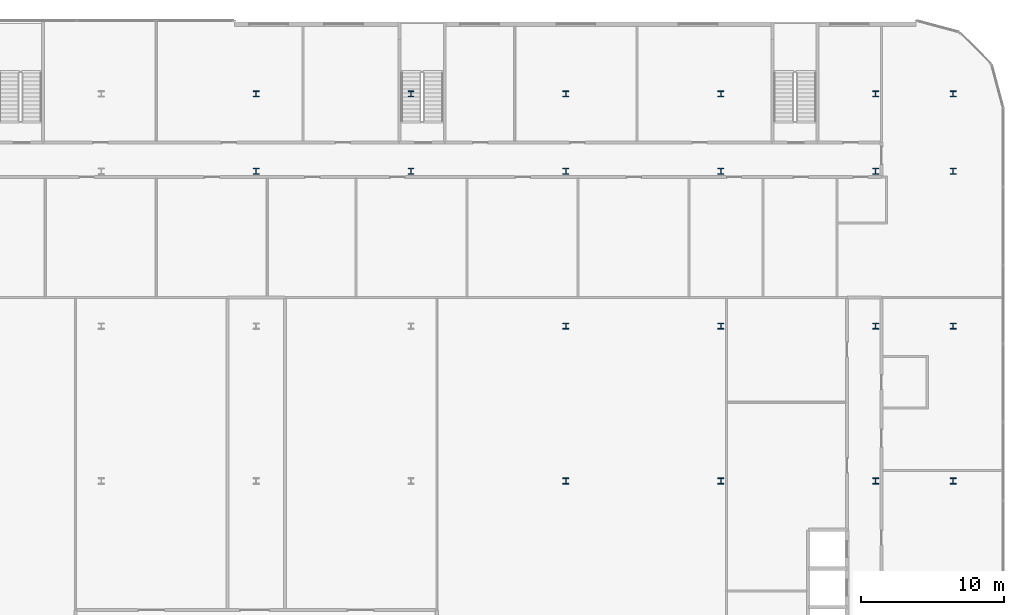
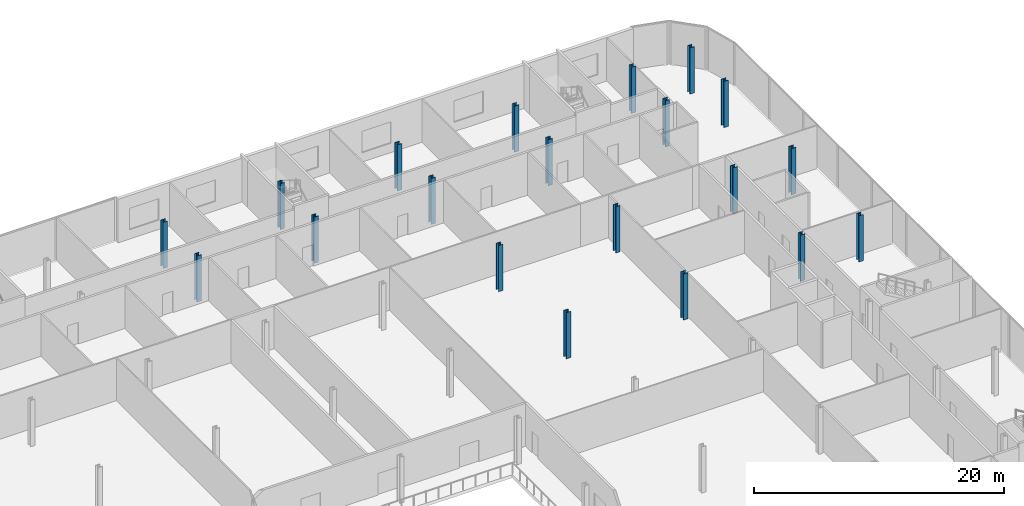
# One storey, part 5 of 47: 20 columns.
"""IFC4 building model written with IfcOpenShell, lengths in metres."""

from ifc_helpers import new_model, si_unit, direction, frame, origin, origin_2d, place, context, subcontext, project, spatial, i_section, extrude, material, material_profile, profile_set, type_object, element, save


model = new_model("IFC4")

# Units and contexts
model_context = context("Model", 3, precision=1e-05, world=origin(), true_north=direction((0.0, 1.0)))
body_context = subcontext(model_context, "Body", "Model", "MODEL_VIEW")
ifc_project = project(units=[si_unit("LENGTHUNIT", "METRE"), si_unit("AREAUNIT", "SQUARE_METRE"), si_unit("VOLUMEUNIT", "CUBIC_METRE"), si_unit("PLANEANGLEUNIT", "RADIAN"), si_unit("MASSUNIT", "GRAM", prefix="KILO")], contexts=[model_context])

# Site, building, storey
site_placement = place(None, origin())
site = spatial("IfcSite", under=ifc_project, at=site_placement, CompositionType="ELEMENT")
building_placement = place(site_placement, origin())
building = spatial("IfcBuilding", under=site, at=building_placement, Name="Kheshtan School and Residences Tower", CompositionType="ELEMENT")
storey_placement = place(building_placement, frame((0.0, 0.0, 12.5)))
storey = spatial("IfcBuildingStorey", under=building, at=storey_placement, Name="L02", CompositionType="ELEMENT", Elevation=12.5)

# Columns
ifc_material = material(Name="Steel ASTM A992 Grade 50", Category="steel")
ifc_material_profile = material_profile(ifc_material, i_section(OverallWidth=0.408935546875, OverallDepth=0.425048828125, WebThickness=0.03271484375, FlangeThickness=0.052490234375, FilletRadius=0.0126953125, at=origin_2d()), Name="W360x421")
ifc_profile_set = profile_set([ifc_material_profile], Name="Steel ASTM A992 Grade 50")
column_type = type_object("IfcColumnType", Name="Column PC2 W360x421 ASTM A992 Grade 50", PredefinedType="COLUMN", material=ifc_profile_set)
for number, where, z_axis, x_axis, name in (
    (1, (101.60009765625, 78.0, 0.0), (0.0, 0.0, 1.0), (1.0, 0.0, 0.0), "Column P-081"),
    (2, (112.39990234375, 78.0, 0.0), (0.0, 0.0, 1.0), (1.0, 0.0, 0.0), "Column P-082"),
    (3, (123.199951171875, 78.0, 0.0), (0.0, 0.0, 1.0), (1.0, 0.0, 0.0), "Column P-083"),
    (4, (128.60009765625, 78.0, 0.0), (0.0, 0.0, 1.0), (1.0, 0.0, 0.0), "Column P-084"),
    (5, (101.60009765625, 88.800048828125, 0.0), (0.0, 0.0, 1.0), (1.0, 0.0, 0.0), "Column P-093"),
    (6, (112.39990234375, 88.800048828125, 0.0), (0.0, 0.0, 1.0), (1.0, 0.0, 0.0), "Column P-094"),
    (7, (123.199951171875, 88.800048828125, 0.0), (0.0, 0.0, 1.0), (1.0, 0.0, 0.0), "Column P-095"),
    (8, (128.60009765625, 88.800048828125, 0.0), (0.0, 0.0, 1.0), (1.0, 0.0, 0.0), "Column P-096"),
    (9, (80.0, 99.60009765625, 0.0), (0.0, 0.0, 1.0), (1.0, 0.0, 0.0), "Column P-103"),
    (10, (90.800048828125, 99.60009765625, 0.0), (0.0, 0.0, 1.0), (1.0, 0.0, 0.0), "Column P-104"),
    (11, (101.60009765625, 99.60009765625, 0.0), (0.0, 0.0, 1.0), (1.0, 0.0, 0.0), "Column P-105"),
    (12, (112.39990234375, 99.60009765625, 0.0), (0.0, 0.0, 1.0), (1.0, 0.0, 0.0), "Column P-106"),
    (13, (123.199951171875, 99.60009765625, 0.0), (0.0, 0.0, 1.0), (1.0, 0.0, 0.0), "Column P-107"),
    (14, (128.60009765625, 99.60009765625, 0.0), (0.0, 0.0, 1.0), (1.0, 0.0, 0.0), "Column P-108"),
    (15, (80.0, 105.0, 0.0), (0.0, 0.0, 1.0), (1.0, 0.0, 0.0), "Column P-115"),
    (16, (90.800048828125, 105.0, 0.0), (0.0, 0.0, 1.0), (1.0, 0.0, 0.0), "Column P-116"),
    (17, (101.60009765625, 105.0, 0.0), (0.0, 0.0, 1.0), (1.0, 0.0, 0.0), "Column P-117"),
    (18, (112.39990234375, 105.0, 0.0), (0.0, 0.0, 1.0), (1.0, 0.0, 0.0), "Column P-118"),
    (19, (123.199951171875, 105.0, 0.0), (0.0, 0.0, 1.0), (1.0, 0.0, 0.0), "Column P-119"),
    (20, (128.60009765625, 105.0, 0.0), (0.0, 0.0, 1.0), (1.0, 0.0, 0.0), "Column P-120"),
):
    element("IfcColumn", number, at=place(storey_placement, frame(where, z_axis=z_axis, x_axis=x_axis)), inside=storey, type_object=column_type, Name=name, PredefinedType="COLUMN", context=body_context, shape_type="SweptSolid", body=[
        extrude(i_section(OverallWidth=0.408935546875, OverallDepth=0.425048828125, WebThickness=0.03271484375, FlangeThickness=0.052490234375, FilletRadius=0.0126953125, at=origin_2d()), origin(), (0.0, 0.0, 1.0), 4.5),
    ])

save(model, "model.ifc")
